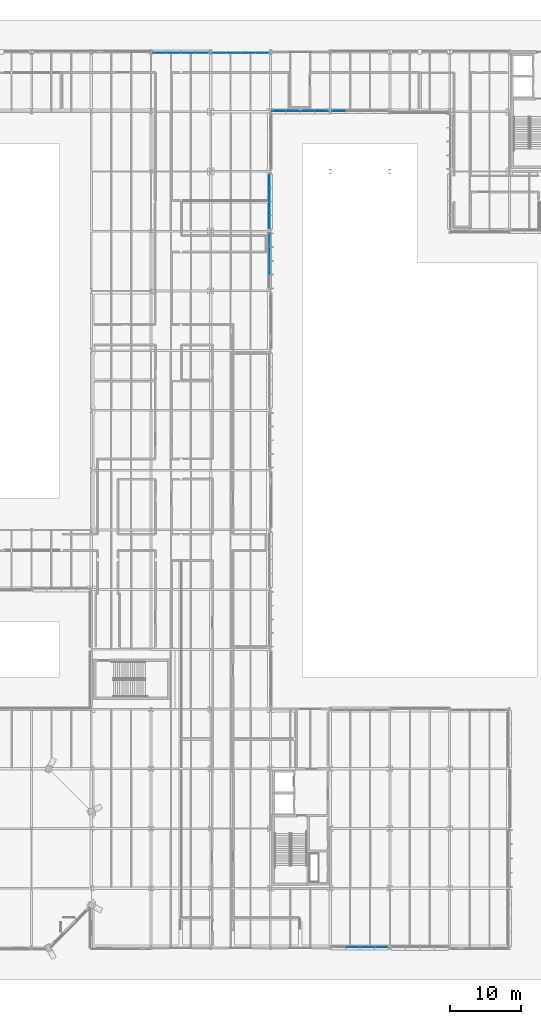
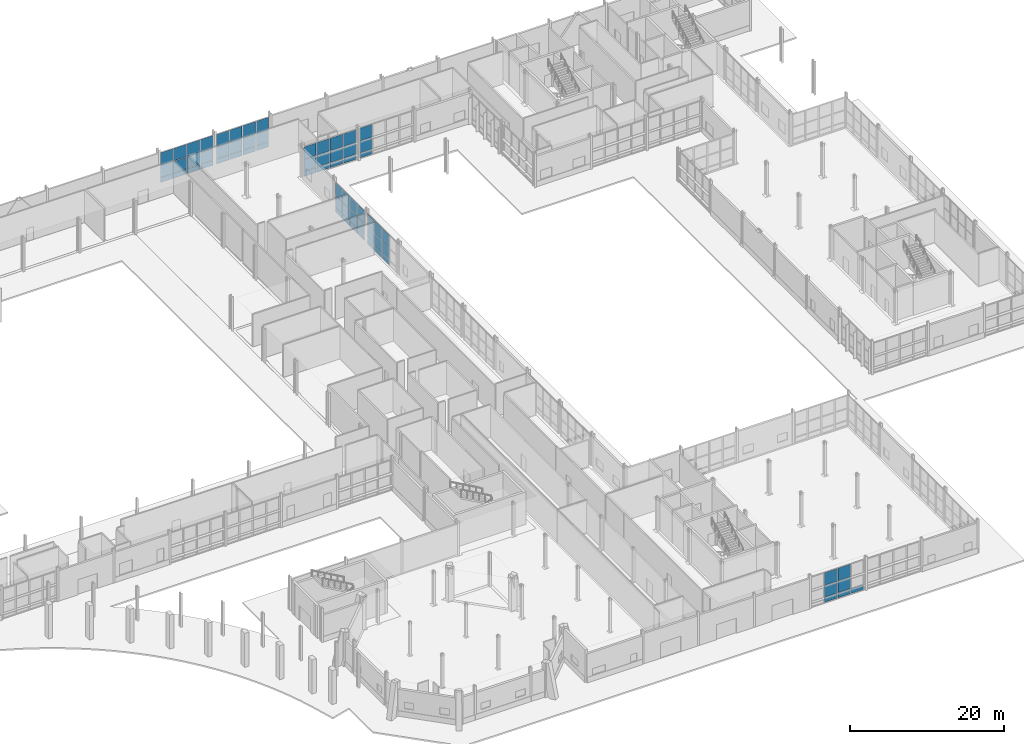
# One storey, part 75 of 124: 67 plates, 7 elements without a shape of their own.
"""IFC4 building model written with IfcOpenShell, lengths in metres."""

from ifc_helpers import new_model, si_unit, direction, frame, origin, origin_2d, place, context, subcontext, project, spatial, rectangle, extrude, material, layer, layer_set, type_object, element, aggregate, save


model = new_model("IFC4")

# Units and contexts
model_context = context("Model", 3, precision=1e-05, world=origin(), true_north=direction((0.0, 1.0)))
body_context = subcontext(model_context, "Body", "Model", "MODEL_VIEW")
ifc_project = project(units=[si_unit("LENGTHUNIT", "METRE"), si_unit("AREAUNIT", "SQUARE_METRE"), si_unit("VOLUMEUNIT", "CUBIC_METRE"), si_unit("PLANEANGLEUNIT", "RADIAN"), si_unit("MASSUNIT", "GRAM", prefix="KILO")], contexts=[model_context])

# Site, building, storey
site_placement = place(None, origin())
site = spatial("IfcSite", under=ifc_project, at=site_placement, CompositionType="ELEMENT")
building_placement = place(site_placement, origin())
building = spatial("IfcBuilding", under=site, at=building_placement, Name="Mersafa Astral City Hall", CompositionType="ELEMENT")
storey_placement = place(building_placement, origin())
storey = spatial("IfcBuildingStorey", under=building, at=storey_placement, Name="L00", CompositionType="ELEMENT", Elevation=0.0)

# Curtain wall, plates
ifc_material_1 = material(Name="Anodised bronze aluminium framing", Category="aluminium")
curtain_wall_type_1 = type_object("IfcCurtainWallType", Name="ENV-CW-1", PredefinedType="USERDEFINED", material=ifc_material_1)
curtain_wall_1_placement = place(storey_placement, origin())
curtain_wall_1 = element("IfcCurtainWall", 1, at=curtain_wall_1_placement, inside=storey, type_object=curtain_wall_type_1, Name="L00 Unitised solar curtain wall 12", ObjectType="UNITISED CURTAIN WALL", PredefinedType="USERDEFINED")
ifc_material_2 = material(Name="Solar control low-e double glazing", Category="glass")
ifc_layer_1 = layer(ifc_material_2, 0.028076171875, Name="Solar control low-e double glazing")
ifc_layer_set_1 = layer_set([ifc_layer_1], Name="Solar control low-e double glazing — ENV-CW-PNL-GLZ-1")
plate_type_1 = type_object("IfcPlateType", Name="ENV-CW-PNL-GLZ-1", PredefinedType="CURTAIN_PANEL", material=ifc_layer_set_1)
plate_1_placement = place(storey_placement, frame((117.47998046875, 95.662353515625, 0.05810546875), z_axis=(0.0, 0.0, 1.0), x_axis=(0.0, 1.0, 0.0)))
plate_1 = element("IfcPlate", 2, at=plate_1_placement, type_object=plate_type_1, Name="CW-1 panel 2.1", PredefinedType="CURTAIN_PANEL", context=body_context, shape_type="SweptSolid", body=[
    extrude(rectangle(XDim=1.830322265625, YDim=0.028076171875, at=origin_2d()), origin(), (0.0, 0.0, 1.0), 0.761962890625),
])
plate_2_placement = place(storey_placement, frame((117.47998046875, 95.662353515625, 0.8798828125), z_axis=(0.0, 0.0, 1.0), x_axis=(0.0, 1.0, 0.0)))
plate_2 = element("IfcPlate", 3, at=plate_2_placement, type_object=plate_type_1, Name="CW-1 panel 2.2", PredefinedType="CURTAIN_PANEL", context=body_context, shape_type="SweptSolid", body=[
    extrude(rectangle(XDim=1.830322265625, YDim=0.028076171875, at=origin_2d()), origin(), (0.0, 0.0, 1.0), 1.840087890625),
])
plate_3_placement = place(storey_placement, frame((117.47998046875, 95.662353515625, 2.780029296875), z_axis=(0.0, 0.0, 1.0), x_axis=(0.0, 1.0, 0.0)))
plate_3 = element("IfcPlate", 4, at=plate_3_placement, type_object=plate_type_1, Name="CW-1 panel 2.3", PredefinedType="CURTAIN_PANEL", context=body_context, shape_type="SweptSolid", body=[
    extrude(rectangle(XDim=1.830322265625, YDim=0.028076171875, at=origin_2d()), origin(), (0.0, 0.0, 1.0), 2.06201171875),
])
plate_4_placement = place(storey_placement, frame((117.47998046875, 97.612548828125, 0.05810546875), z_axis=(0.0, 0.0, 1.0), x_axis=(0.0, 1.0, 0.0)))
plate_4 = element("IfcPlate", 5, at=plate_4_placement, type_object=plate_type_1, Name="CW-1 panel 3.1", PredefinedType="CURTAIN_PANEL", context=body_context, shape_type="SweptSolid", body=[
    extrude(rectangle(XDim=1.830322265625, YDim=0.028076171875, at=origin_2d()), origin(), (0.0, 0.0, 1.0), 0.761962890625),
])
plate_5_placement = place(storey_placement, frame((117.47998046875, 97.612548828125, 0.8798828125), z_axis=(0.0, 0.0, 1.0), x_axis=(0.0, 1.0, 0.0)))
plate_5 = element("IfcPlate", 6, at=plate_5_placement, type_object=plate_type_1, Name="CW-1 panel 3.2", PredefinedType="CURTAIN_PANEL", context=body_context, shape_type="SweptSolid", body=[
    extrude(rectangle(XDim=1.830322265625, YDim=0.028076171875, at=origin_2d()), origin(), (0.0, 0.0, 1.0), 1.840087890625),
])
plate_6_placement = place(storey_placement, frame((117.47998046875, 97.612548828125, 2.780029296875), z_axis=(0.0, 0.0, 1.0), x_axis=(0.0, 1.0, 0.0)))
plate_6 = element("IfcPlate", 7, at=plate_6_placement, type_object=plate_type_1, Name="CW-1 panel 3.3", PredefinedType="CURTAIN_PANEL", context=body_context, shape_type="SweptSolid", body=[
    extrude(rectangle(XDim=1.830322265625, YDim=0.028076171875, at=origin_2d()), origin(), (0.0, 0.0, 1.0), 2.06201171875),
])
plate_7_placement = place(storey_placement, frame((117.47998046875, 99.532958984375, 0.05810546875), z_axis=(0.0, 0.0, 1.0), x_axis=(0.0, 1.0, 0.0)))
plate_7 = element("IfcPlate", 8, at=plate_7_placement, type_object=plate_type_1, Name="CW-1 panel 4.1", PredefinedType="CURTAIN_PANEL", context=body_context, shape_type="SweptSolid", body=[
    extrude(rectangle(XDim=1.770263671875, YDim=0.028076171875, at=origin_2d()), origin(), (0.0, 0.0, 1.0), 0.761962890625),
])
plate_8_placement = place(storey_placement, frame((117.47998046875, 99.532958984375, 0.8798828125), z_axis=(0.0, 0.0, 1.0), x_axis=(0.0, 1.0, 0.0)))
plate_8 = element("IfcPlate", 9, at=plate_8_placement, type_object=plate_type_1, Name="CW-1 panel 4.2", PredefinedType="CURTAIN_PANEL", context=body_context, shape_type="SweptSolid", body=[
    extrude(rectangle(XDim=1.770263671875, YDim=0.028076171875, at=origin_2d()), origin(), (0.0, 0.0, 1.0), 1.840087890625),
])
plate_9_placement = place(storey_placement, frame((117.47998046875, 99.532958984375, 2.780029296875), z_axis=(0.0, 0.0, 1.0), x_axis=(0.0, 1.0, 0.0)))
plate_9 = element("IfcPlate", 10, at=plate_9_placement, type_object=plate_type_1, Name="CW-1 panel 4.3", PredefinedType="CURTAIN_PANEL", context=body_context, shape_type="SweptSolid", body=[
    extrude(rectangle(XDim=1.770263671875, YDim=0.028076171875, at=origin_2d()), origin(), (0.0, 0.0, 1.0), 2.06201171875),
])
aggregate(curtain_wall_1, [plate_1, plate_2, plate_3, plate_4, plate_5, plate_6, plate_7, plate_8, plate_9])

curtain_wall_type_2 = type_object("IfcCurtainWallType", Name="ENV-CW-3", PredefinedType="USERDEFINED", material=ifc_material_1)
curtain_wall_2_placement = place(storey_placement, origin())
curtain_wall_2 = element("IfcCurtainWall", 11, at=curtain_wall_2_placement, inside=storey, type_object=curtain_wall_type_2, Name="L00 Unitised solar curtain wall 32", ObjectType="UNITISED CURTAIN WALL", PredefinedType="USERDEFINED")
plate_10_placement = place(storey_placement, frame((116.3984375, 125.8798828125, 0.05810546875), z_axis=(0.0, 0.0, 1.0), x_axis=(-1.0, 0.0, 0.0)))
plate_10 = element("IfcPlate", 12, at=plate_10_placement, type_object=plate_type_1, Name="CW-3 panel 1.1", PredefinedType="CURTAIN_PANEL", context=body_context, shape_type="SweptSolid", body=[
    extrude(rectangle(XDim=1.839111328125, YDim=0.028076171875, at=origin_2d()), origin(), (0.0, 0.0, 1.0), 0.761962890625),
])
plate_11_placement = place(storey_placement, frame((116.3984375, 125.8798828125, 0.8798828125), z_axis=(0.0, 0.0, 1.0), x_axis=(-1.0, 0.0, 0.0)))
plate_11 = element("IfcPlate", 13, at=plate_11_placement, type_object=plate_type_1, Name="CW-3 panel 1.2", PredefinedType="CURTAIN_PANEL", context=body_context, shape_type="SweptSolid", body=[
    extrude(rectangle(XDim=1.839111328125, YDim=0.028076171875, at=origin_2d()), origin(), (0.0, 0.0, 1.0), 1.840087890625),
])
plate_12_placement = place(storey_placement, frame((116.3984375, 125.8798828125, 2.7802734375), z_axis=(0.0, 0.0, 1.0), x_axis=(-1.0, 0.0, 0.0)))
plate_12 = element("IfcPlate", 14, at=plate_12_placement, type_object=plate_type_1, Name="CW-3 panel 1.3", PredefinedType="CURTAIN_PANEL", context=body_context, shape_type="SweptSolid", body=[
    extrude(rectangle(XDim=1.839111328125, YDim=0.028076171875, at=origin_2d()), origin(), (0.0, 0.0, 1.0), 1.971923828125),
])
plate_13_placement = place(storey_placement, frame((114.409423828125, 125.8798828125, 0.05810546875), z_axis=(0.0, 0.0, 1.0), x_axis=(-1.0, 0.0, 0.0)))
plate_13 = element("IfcPlate", 15, at=plate_13_placement, type_object=plate_type_1, Name="CW-3 panel 2.1", PredefinedType="CURTAIN_PANEL", context=body_context, shape_type="SweptSolid", body=[
    extrude(rectangle(XDim=1.89892578125, YDim=0.028076171875, at=origin_2d()), origin(), (0.0, 0.0, 1.0), 0.761962890625),
])
plate_14_placement = place(storey_placement, frame((114.409423828125, 125.8798828125, 0.8798828125), z_axis=(0.0, 0.0, 1.0), x_axis=(-1.0, 0.0, 0.0)))
plate_14 = element("IfcPlate", 16, at=plate_14_placement, type_object=plate_type_1, Name="CW-3 panel 2.2", PredefinedType="CURTAIN_PANEL", context=body_context, shape_type="SweptSolid", body=[
    extrude(rectangle(XDim=1.89892578125, YDim=0.028076171875, at=origin_2d()), origin(), (0.0, 0.0, 1.0), 1.840087890625),
])
plate_15_placement = place(storey_placement, frame((114.409423828125, 125.8798828125, 2.7802734375), z_axis=(0.0, 0.0, 1.0), x_axis=(-1.0, 0.0, 0.0)))
plate_15 = element("IfcPlate", 17, at=plate_15_placement, type_object=plate_type_1, Name="CW-3 panel 2.3", PredefinedType="CURTAIN_PANEL", context=body_context, shape_type="SweptSolid", body=[
    extrude(rectangle(XDim=1.89892578125, YDim=0.028076171875, at=origin_2d()), origin(), (0.0, 0.0, 1.0), 1.971923828125),
])
plate_16_placement = place(storey_placement, frame((112.390380859375, 125.8798828125, 0.05810546875), z_axis=(0.0, 0.0, 1.0), x_axis=(-1.0, 0.0, 0.0)))
plate_16 = element("IfcPlate", 18, at=plate_16_placement, type_object=plate_type_1, Name="CW-3 panel 3.1", PredefinedType="CURTAIN_PANEL", context=body_context, shape_type="SweptSolid", body=[
    extrude(rectangle(XDim=1.89892578125, YDim=0.028076171875, at=origin_2d()), origin(), (0.0, 0.0, 1.0), 0.761962890625),
])
plate_17_placement = place(storey_placement, frame((112.390380859375, 125.8798828125, 0.8798828125), z_axis=(0.0, 0.0, 1.0), x_axis=(-1.0, 0.0, 0.0)))
plate_17 = element("IfcPlate", 19, at=plate_17_placement, type_object=plate_type_1, Name="CW-3 panel 3.2", PredefinedType="CURTAIN_PANEL", context=body_context, shape_type="SweptSolid", body=[
    extrude(rectangle(XDim=1.89892578125, YDim=0.028076171875, at=origin_2d()), origin(), (0.0, 0.0, 1.0), 1.840087890625),
])
plate_18_placement = place(storey_placement, frame((112.390380859375, 125.8798828125, 2.7802734375), z_axis=(0.0, 0.0, 1.0), x_axis=(-1.0, 0.0, 0.0)))
plate_18 = element("IfcPlate", 20, at=plate_18_placement, type_object=plate_type_1, Name="CW-3 panel 3.3", PredefinedType="CURTAIN_PANEL", context=body_context, shape_type="SweptSolid", body=[
    extrude(rectangle(XDim=1.89892578125, YDim=0.028076171875, at=origin_2d()), origin(), (0.0, 0.0, 1.0), 1.971923828125),
])
plate_19_placement = place(storey_placement, frame((110.401611328125, 125.8798828125, 0.05810546875), z_axis=(0.0, 0.0, 1.0), x_axis=(-1.0, 0.0, 0.0)))
plate_19 = element("IfcPlate", 21, at=plate_19_placement, type_object=plate_type_1, Name="CW-3 panel 4.1", PredefinedType="CURTAIN_PANEL", context=body_context, shape_type="SweptSolid", body=[
    extrude(rectangle(XDim=1.839111328125, YDim=0.028076171875, at=origin_2d()), origin(), (0.0, 0.0, 1.0), 0.761962890625),
])
plate_20_placement = place(storey_placement, frame((110.401611328125, 125.8798828125, 0.8798828125), z_axis=(0.0, 0.0, 1.0), x_axis=(-1.0, 0.0, 0.0)))
plate_20 = element("IfcPlate", 22, at=plate_20_placement, type_object=plate_type_1, Name="CW-3 panel 4.2", PredefinedType="CURTAIN_PANEL", context=body_context, shape_type="SweptSolid", body=[
    extrude(rectangle(XDim=1.839111328125, YDim=0.028076171875, at=origin_2d()), origin(), (0.0, 0.0, 1.0), 1.840087890625),
])
plate_21_placement = place(storey_placement, frame((110.401611328125, 125.8798828125, 2.7802734375), z_axis=(0.0, 0.0, 1.0), x_axis=(-1.0, 0.0, 0.0)))
plate_21 = element("IfcPlate", 23, at=plate_21_placement, type_object=plate_type_1, Name="CW-3 panel 4.3", PredefinedType="CURTAIN_PANEL", context=body_context, shape_type="SweptSolid", body=[
    extrude(rectangle(XDim=1.839111328125, YDim=0.028076171875, at=origin_2d()), origin(), (0.0, 0.0, 1.0), 1.971923828125),
])
aggregate(curtain_wall_2, [plate_10, plate_11, plate_12, plate_13, plate_14, plate_15, plate_16, plate_17, plate_18, plate_19, plate_20, plate_21])

curtain_wall_type_3 = type_object("IfcCurtainWallType", Name="ENV-CW-2", PredefinedType="USERDEFINED", material=ifc_material_1)
curtain_wall_3_placement = place(storey_placement, origin())
curtain_wall_3 = element("IfcCurtainWall", 24, at=curtain_wall_3_placement, inside=storey, type_object=curtain_wall_type_3, Name="L00 Unitised solar curtain wall 1", ObjectType="UNITISED CURTAIN WALL", PredefinedType="USERDEFINED")
ifc_layer_2 = layer(ifc_material_2, 0.031982421875, Name="Solar control low-e double glazing")
ifc_layer_set_2 = layer_set([ifc_layer_2], Name="Solar control low-e double glazing — ENV-CW-PNL-GLZ-2")
plate_type_2 = type_object("IfcPlateType", Name="ENV-CW-PNL-GLZ-2", PredefinedType="CURTAIN_PANEL", material=ifc_layer_set_2)
plate_22_placement = place(storey_placement, frame((129.1904296875, 0.1201171875, 0.05810546875), z_axis=(0.0, 0.0, 1.0), x_axis=(1.0, 0.0, 0.0)))
plate_22 = element("IfcPlate", 25, at=plate_22_placement, type_object=plate_type_2, Name="CW-2 panel 2.1", PredefinedType="CURTAIN_PANEL", context=body_context, shape_type="SweptSolid", body=[
    extrude(rectangle(XDim=1.89892578125, YDim=0.031982421875, at=origin_2d()), origin(), (0.0, 0.0, 1.0), 0.761962890625),
])
plate_23_placement = place(storey_placement, frame((129.1904296875, 0.1201171875, 0.8798828125), z_axis=(0.0, 0.0, 1.0), x_axis=(1.0, 0.0, 0.0)))
plate_23 = element("IfcPlate", 26, at=plate_23_placement, type_object=plate_type_2, Name="CW-2 panel 2.2", PredefinedType="CURTAIN_PANEL", context=body_context, shape_type="SweptSolid", body=[
    extrude(rectangle(XDim=1.89892578125, YDim=0.031982421875, at=origin_2d()), origin(), (0.0, 0.0, 1.0), 1.840087890625),
])
plate_24_placement = place(storey_placement, frame((129.1904296875, 0.1201171875, 2.780029296875), z_axis=(0.0, 0.0, 1.0), x_axis=(1.0, 0.0, 0.0)))
plate_24 = element("IfcPlate", 27, at=plate_24_placement, type_object=plate_type_2, Name="CW-2 panel 2.3", PredefinedType="CURTAIN_PANEL", context=body_context, shape_type="SweptSolid", body=[
    extrude(rectangle(XDim=1.89892578125, YDim=0.031982421875, at=origin_2d()), origin(), (0.0, 0.0, 1.0), 2.001953125),
])
plate_25_placement = place(storey_placement, frame((131.20947265625, 0.1201171875, 0.05810546875), z_axis=(0.0, 0.0, 1.0), x_axis=(1.0, 0.0, 0.0)))
plate_25 = element("IfcPlate", 28, at=plate_25_placement, type_object=plate_type_2, Name="CW-2 panel 3.1", PredefinedType="CURTAIN_PANEL", context=body_context, shape_type="SweptSolid", body=[
    extrude(rectangle(XDim=1.89892578125, YDim=0.031982421875, at=origin_2d()), origin(), (0.0, 0.0, 1.0), 0.761962890625),
])
plate_26_placement = place(storey_placement, frame((131.20947265625, 0.1201171875, 0.8798828125), z_axis=(0.0, 0.0, 1.0), x_axis=(1.0, 0.0, 0.0)))
plate_26 = element("IfcPlate", 29, at=plate_26_placement, type_object=plate_type_2, Name="CW-2 panel 3.2", PredefinedType="CURTAIN_PANEL", context=body_context, shape_type="SweptSolid", body=[
    extrude(rectangle(XDim=1.89892578125, YDim=0.031982421875, at=origin_2d()), origin(), (0.0, 0.0, 1.0), 1.840087890625),
])
plate_27_placement = place(storey_placement, frame((131.20947265625, 0.1201171875, 2.780029296875), z_axis=(0.0, 0.0, 1.0), x_axis=(1.0, 0.0, 0.0)))
plate_27 = element("IfcPlate", 30, at=plate_27_placement, type_object=plate_type_2, Name="CW-2 panel 3.3", PredefinedType="CURTAIN_PANEL", context=body_context, shape_type="SweptSolid", body=[
    extrude(rectangle(XDim=1.89892578125, YDim=0.031982421875, at=origin_2d()), origin(), (0.0, 0.0, 1.0), 2.001953125),
])
plate_28_placement = place(storey_placement, frame((133.198486328125, 0.1201171875, 0.05810546875), z_axis=(0.0, 0.0, 1.0), x_axis=(1.0, 0.0, 0.0)))
plate_28 = element("IfcPlate", 31, at=plate_28_placement, type_object=plate_type_2, Name="CW-2 panel 4.1", PredefinedType="CURTAIN_PANEL", context=body_context, shape_type="SweptSolid", body=[
    extrude(rectangle(XDim=1.839111328125, YDim=0.031982421875, at=origin_2d()), origin(), (0.0, 0.0, 1.0), 0.761962890625),
])
aggregate(curtain_wall_3, [plate_22, plate_23, plate_24, plate_25, plate_26, plate_27, plate_28])

curtain_wall_4_placement = place(storey_placement, origin())
curtain_wall_4 = element("IfcCurtainWall", 32, at=curtain_wall_4_placement, inside=storey, type_object=curtain_wall_type_3, Name="L00 Unitised solar curtain wall 13", ObjectType="UNITISED CURTAIN WALL", PredefinedType="USERDEFINED")
plate_29_placement = place(storey_placement, frame((117.47998046875, 102.0703125, 0.05810546875), z_axis=(0.0, 0.0, 1.0), x_axis=(0.0, 1.0, 0.0)))
plate_29 = element("IfcPlate", 33, at=plate_29_placement, type_object=plate_type_2, Name="CW-2 panel 1.1", PredefinedType="CURTAIN_PANEL", context=body_context, shape_type="SweptSolid", body=[
    extrude(rectangle(XDim=1.776611328125, YDim=0.031982421875, at=origin_2d()), origin(), (0.0, 0.0, 1.0), 0.761962890625),
])
plate_30_placement = place(storey_placement, frame((117.47998046875, 102.0703125, 0.8798828125), z_axis=(0.0, 0.0, 1.0), x_axis=(0.0, 1.0, 0.0)))
plate_30 = element("IfcPlate", 34, at=plate_30_placement, type_object=plate_type_2, Name="CW-2 panel 1.2", PredefinedType="CURTAIN_PANEL", context=body_context, shape_type="SweptSolid", body=[
    extrude(rectangle(XDim=1.776611328125, YDim=0.031982421875, at=origin_2d()), origin(), (0.0, 0.0, 1.0), 1.840087890625),
])
plate_31_placement = place(storey_placement, frame((117.47998046875, 102.0703125, 2.7802734375), z_axis=(0.0, 0.0, 1.0), x_axis=(0.0, 1.0, 0.0)))
plate_31 = element("IfcPlate", 35, at=plate_31_placement, type_object=plate_type_2, Name="CW-2 panel 1.3", PredefinedType="CURTAIN_PANEL", context=body_context, shape_type="SweptSolid", body=[
    extrude(rectangle(XDim=1.776611328125, YDim=0.031982421875, at=origin_2d()), origin(), (0.0, 0.0, 1.0), 1.971923828125),
])
plate_32_placement = place(storey_placement, frame((117.47998046875, 103.996826171875, 0.05810546875), z_axis=(0.0, 0.0, 1.0), x_axis=(0.0, 1.0, 0.0)))
plate_32 = element("IfcPlate", 36, at=plate_32_placement, type_object=plate_type_2, Name="CW-2 panel 2.1", PredefinedType="CURTAIN_PANEL", context=body_context, shape_type="SweptSolid", body=[
    extrude(rectangle(XDim=1.83642578125, YDim=0.031982421875, at=origin_2d()), origin(), (0.0, 0.0, 1.0), 0.761962890625),
])
plate_33_placement = place(storey_placement, frame((117.47998046875, 103.996826171875, 0.8798828125), z_axis=(0.0, 0.0, 1.0), x_axis=(0.0, 1.0, 0.0)))
plate_33 = element("IfcPlate", 37, at=plate_33_placement, type_object=plate_type_2, Name="CW-2 panel 2.2", PredefinedType="CURTAIN_PANEL", context=body_context, shape_type="SweptSolid", body=[
    extrude(rectangle(XDim=1.83642578125, YDim=0.031982421875, at=origin_2d()), origin(), (0.0, 0.0, 1.0), 1.840087890625),
])
plate_34_placement = place(storey_placement, frame((117.47998046875, 103.996826171875, 2.7802734375), z_axis=(0.0, 0.0, 1.0), x_axis=(0.0, 1.0, 0.0)))
plate_34 = element("IfcPlate", 38, at=plate_34_placement, type_object=plate_type_2, Name="CW-2 panel 2.3", PredefinedType="CURTAIN_PANEL", context=body_context, shape_type="SweptSolid", body=[
    extrude(rectangle(XDim=1.83642578125, YDim=0.031982421875, at=origin_2d()), origin(), (0.0, 0.0, 1.0), 1.971923828125),
])
plate_35_placement = place(storey_placement, frame((117.47998046875, 105.953369140625, 0.05810546875), z_axis=(0.0, 0.0, 1.0), x_axis=(0.0, 1.0, 0.0)))
plate_35 = element("IfcPlate", 39, at=plate_35_placement, type_object=plate_type_2, Name="CW-2 panel 3.1", PredefinedType="CURTAIN_PANEL", context=body_context, shape_type="SweptSolid", body=[
    extrude(rectangle(XDim=1.83642578125, YDim=0.031982421875, at=origin_2d()), origin(), (0.0, 0.0, 1.0), 0.761962890625),
])
plate_36_placement = place(storey_placement, frame((117.47998046875, 105.953369140625, 0.8798828125), z_axis=(0.0, 0.0, 1.0), x_axis=(0.0, 1.0, 0.0)))
plate_36 = element("IfcPlate", 40, at=plate_36_placement, type_object=plate_type_2, Name="CW-2 panel 3.2", PredefinedType="CURTAIN_PANEL", context=body_context, shape_type="SweptSolid", body=[
    extrude(rectangle(XDim=1.83642578125, YDim=0.031982421875, at=origin_2d()), origin(), (0.0, 0.0, 1.0), 1.840087890625),
])
plate_37_placement = place(storey_placement, frame((117.47998046875, 105.953369140625, 2.7802734375), z_axis=(0.0, 0.0, 1.0), x_axis=(0.0, 1.0, 0.0)))
plate_37 = element("IfcPlate", 41, at=plate_37_placement, type_object=plate_type_2, Name="CW-2 panel 3.3", PredefinedType="CURTAIN_PANEL", context=body_context, shape_type="SweptSolid", body=[
    extrude(rectangle(XDim=1.83642578125, YDim=0.031982421875, at=origin_2d()), origin(), (0.0, 0.0, 1.0), 1.971923828125),
])
plate_38_placement = place(storey_placement, frame((117.47998046875, 107.879638671875, 0.05810546875), z_axis=(0.0, 0.0, 1.0), x_axis=(0.0, 1.0, 0.0)))
plate_38 = element("IfcPlate", 42, at=plate_38_placement, type_object=plate_type_2, Name="CW-2 panel 4.1", PredefinedType="CURTAIN_PANEL", context=body_context, shape_type="SweptSolid", body=[
    extrude(rectangle(XDim=1.776611328125, YDim=0.031982421875, at=origin_2d()), origin(), (0.0, 0.0, 1.0), 0.761962890625),
])
plate_39_placement = place(storey_placement, frame((117.47998046875, 107.879638671875, 0.8798828125), z_axis=(0.0, 0.0, 1.0), x_axis=(0.0, 1.0, 0.0)))
plate_39 = element("IfcPlate", 43, at=plate_39_placement, type_object=plate_type_2, Name="CW-2 panel 4.2", PredefinedType="CURTAIN_PANEL", context=body_context, shape_type="SweptSolid", body=[
    extrude(rectangle(XDim=1.776611328125, YDim=0.031982421875, at=origin_2d()), origin(), (0.0, 0.0, 1.0), 1.840087890625),
])
plate_40_placement = place(storey_placement, frame((117.47998046875, 107.879638671875, 2.7802734375), z_axis=(0.0, 0.0, 1.0), x_axis=(0.0, 1.0, 0.0)))
plate_40 = element("IfcPlate", 44, at=plate_40_placement, type_object=plate_type_2, Name="CW-2 panel 4.3", PredefinedType="CURTAIN_PANEL", context=body_context, shape_type="SweptSolid", body=[
    extrude(rectangle(XDim=1.776611328125, YDim=0.031982421875, at=origin_2d()), origin(), (0.0, 0.0, 1.0), 1.971923828125),
])
aggregate(curtain_wall_4, [plate_29, plate_30, plate_31, plate_32, plate_33, plate_34, plate_35, plate_36, plate_37, plate_38, plate_39, plate_40])

curtain_wall_type_4 = type_object("IfcCurtainWallType", Name="ENV-CW-4", PredefinedType="USERDEFINED", material=ifc_material_1)
curtain_wall_5_placement = place(storey_placement, origin())
curtain_wall_5 = element("IfcCurtainWall", 45, at=curtain_wall_5_placement, inside=storey, type_object=curtain_wall_type_4, Name="L00 Unitised solar curtain wall 33", ObjectType="UNITISED CURTAIN WALL", PredefinedType="USERDEFINED")
plate_41_placement = place(storey_placement, frame((107.99853515625, 125.8798828125, 0.05810546875), z_axis=(0.0, 0.0, 1.0), x_axis=(-1.0, 0.0, 0.0)))
plate_41 = element("IfcPlate", 46, at=plate_41_placement, type_object=plate_type_2, Name="CW-4 panel 1.1", PredefinedType="CURTAIN_PANEL", context=body_context, shape_type="SweptSolid", body=[
    extrude(rectangle(XDim=1.839111328125, YDim=0.031982421875, at=origin_2d()), origin(), (0.0, 0.0, 1.0), 0.761962890625),
])
plate_42_placement = place(storey_placement, frame((107.99853515625, 125.8798828125, 0.8798828125), z_axis=(0.0, 0.0, 1.0), x_axis=(-1.0, 0.0, 0.0)))
plate_42 = element("IfcPlate", 47, at=plate_42_placement, type_object=plate_type_2, Name="CW-4 panel 1.2", PredefinedType="CURTAIN_PANEL", context=body_context, shape_type="SweptSolid", body=[
    extrude(rectangle(XDim=1.839111328125, YDim=0.031982421875, at=origin_2d()), origin(), (0.0, 0.0, 1.0), 1.840087890625),
])
plate_43_placement = place(storey_placement, frame((107.99853515625, 125.8798828125, 2.780029296875), z_axis=(0.0, 0.0, 1.0), x_axis=(-1.0, 0.0, 0.0)))
plate_43 = element("IfcPlate", 48, at=plate_43_placement, type_object=plate_type_2, Name="CW-4 panel 1.3", PredefinedType="CURTAIN_PANEL", context=body_context, shape_type="SweptSolid", body=[
    extrude(rectangle(XDim=1.839111328125, YDim=0.031982421875, at=origin_2d()), origin(), (0.0, 0.0, 1.0), 2.001953125),
])
plate_44_placement = place(storey_placement, frame((106.009521484375, 125.8798828125, 0.05810546875), z_axis=(0.0, 0.0, 1.0), x_axis=(-1.0, 0.0, 0.0)))
plate_44 = element("IfcPlate", 49, at=plate_44_placement, type_object=plate_type_2, Name="CW-4 panel 2.1", PredefinedType="CURTAIN_PANEL", context=body_context, shape_type="SweptSolid", body=[
    extrude(rectangle(XDim=1.89892578125, YDim=0.031982421875, at=origin_2d()), origin(), (0.0, 0.0, 1.0), 0.761962890625),
])
plate_45_placement = place(storey_placement, frame((106.009521484375, 125.8798828125, 0.8798828125), z_axis=(0.0, 0.0, 1.0), x_axis=(-1.0, 0.0, 0.0)))
plate_45 = element("IfcPlate", 50, at=plate_45_placement, type_object=plate_type_2, Name="CW-4 panel 2.2", PredefinedType="CURTAIN_PANEL", context=body_context, shape_type="SweptSolid", body=[
    extrude(rectangle(XDim=1.89892578125, YDim=0.031982421875, at=origin_2d()), origin(), (0.0, 0.0, 1.0), 1.840087890625),
])
plate_46_placement = place(storey_placement, frame((106.009521484375, 125.8798828125, 2.780029296875), z_axis=(0.0, 0.0, 1.0), x_axis=(-1.0, 0.0, 0.0)))
plate_46 = element("IfcPlate", 51, at=plate_46_placement, type_object=plate_type_2, Name="CW-4 panel 2.3", PredefinedType="CURTAIN_PANEL", context=body_context, shape_type="SweptSolid", body=[
    extrude(rectangle(XDim=1.89892578125, YDim=0.031982421875, at=origin_2d()), origin(), (0.0, 0.0, 1.0), 2.001953125),
])
plate_47_placement = place(storey_placement, frame((103.990478515625, 125.8798828125, 0.05810546875), z_axis=(0.0, 0.0, 1.0), x_axis=(-1.0, 0.0, 0.0)))
plate_47 = element("IfcPlate", 52, at=plate_47_placement, type_object=plate_type_2, Name="CW-4 panel 3.1", PredefinedType="CURTAIN_PANEL", context=body_context, shape_type="SweptSolid", body=[
    extrude(rectangle(XDim=1.89892578125, YDim=0.031982421875, at=origin_2d()), origin(), (0.0, 0.0, 1.0), 0.761962890625),
])
plate_48_placement = place(storey_placement, frame((103.990478515625, 125.8798828125, 0.8798828125), z_axis=(0.0, 0.0, 1.0), x_axis=(-1.0, 0.0, 0.0)))
plate_48 = element("IfcPlate", 53, at=plate_48_placement, type_object=plate_type_2, Name="CW-4 panel 3.2", PredefinedType="CURTAIN_PANEL", context=body_context, shape_type="SweptSolid", body=[
    extrude(rectangle(XDim=1.89892578125, YDim=0.031982421875, at=origin_2d()), origin(), (0.0, 0.0, 1.0), 1.840087890625),
])
plate_49_placement = place(storey_placement, frame((103.990478515625, 125.8798828125, 2.780029296875), z_axis=(0.0, 0.0, 1.0), x_axis=(-1.0, 0.0, 0.0)))
plate_49 = element("IfcPlate", 54, at=plate_49_placement, type_object=plate_type_2, Name="CW-4 panel 3.3", PredefinedType="CURTAIN_PANEL", context=body_context, shape_type="SweptSolid", body=[
    extrude(rectangle(XDim=1.89892578125, YDim=0.031982421875, at=origin_2d()), origin(), (0.0, 0.0, 1.0), 2.001953125),
])
plate_50_placement = place(storey_placement, frame((102.00146484375, 125.8798828125, 0.05810546875), z_axis=(0.0, 0.0, 1.0), x_axis=(-1.0, 0.0, 0.0)))
plate_50 = element("IfcPlate", 55, at=plate_50_placement, type_object=plate_type_2, Name="CW-4 panel 4.1", PredefinedType="CURTAIN_PANEL", context=body_context, shape_type="SweptSolid", body=[
    extrude(rectangle(XDim=1.839111328125, YDim=0.031982421875, at=origin_2d()), origin(), (0.0, 0.0, 1.0), 0.761962890625),
])
plate_51_placement = place(storey_placement, frame((102.00146484375, 125.8798828125, 0.8798828125), z_axis=(0.0, 0.0, 1.0), x_axis=(-1.0, 0.0, 0.0)))
plate_51 = element("IfcPlate", 56, at=plate_51_placement, type_object=plate_type_2, Name="CW-4 panel 4.2", PredefinedType="CURTAIN_PANEL", context=body_context, shape_type="SweptSolid", body=[
    extrude(rectangle(XDim=1.839111328125, YDim=0.031982421875, at=origin_2d()), origin(), (0.0, 0.0, 1.0), 1.840087890625),
])
plate_52_placement = place(storey_placement, frame((102.00146484375, 125.8798828125, 2.780029296875), z_axis=(0.0, 0.0, 1.0), x_axis=(-1.0, 0.0, 0.0)))
plate_52 = element("IfcPlate", 57, at=plate_52_placement, type_object=plate_type_2, Name="CW-4 panel 4.3", PredefinedType="CURTAIN_PANEL", context=body_context, shape_type="SweptSolid", body=[
    extrude(rectangle(XDim=1.839111328125, YDim=0.031982421875, at=origin_2d()), origin(), (0.0, 0.0, 1.0), 2.001953125),
])
aggregate(curtain_wall_5, [plate_41, plate_42, plate_43, plate_44, plate_45, plate_46, plate_47, plate_48, plate_49, plate_50, plate_51, plate_52])

curtain_wall_6_placement = place(storey_placement, origin())
curtain_wall_6 = element("IfcCurtainWall", 58, at=curtain_wall_6_placement, inside=storey, type_object=curtain_wall_type_2, Name="L00 Unitised solar curtain wall 14", ObjectType="UNITISED CURTAIN WALL", PredefinedType="USERDEFINED")
ifc_layer_3 = layer(ifc_material_2, 0.035888671875, Name="Solar control low-e double glazing")
ifc_layer_set_3 = layer_set([ifc_layer_3], Name="Solar control low-e double glazing — ENV-CW-PNL-GLZ-3")
plate_type_3 = type_object("IfcPlateType", Name="ENV-CW-PNL-GLZ-3", PredefinedType="CURTAIN_PANEL", material=ifc_layer_set_3)
plate_53_placement = place(storey_placement, frame((118.801513671875, 117.719970703125, 0.05810546875), z_axis=(0.0, 0.0, 1.0), x_axis=(1.0, 0.0, 0.0)))
plate_53 = element("IfcPlate", 59, at=plate_53_placement, type_object=plate_type_3, Name="CW-3 panel 1.1", PredefinedType="CURTAIN_PANEL", context=body_context, shape_type="SweptSolid", body=[
    extrude(rectangle(XDim=1.839111328125, YDim=0.035888671875, at=origin_2d()), origin(), (0.0, 0.0, 1.0), 0.761962890625),
])
plate_54_placement = place(storey_placement, frame((118.801513671875, 117.719970703125, 0.8798828125), z_axis=(0.0, 0.0, 1.0), x_axis=(1.0, 0.0, 0.0)))
plate_54 = element("IfcPlate", 60, at=plate_54_placement, type_object=plate_type_3, Name="CW-3 panel 1.2", PredefinedType="CURTAIN_PANEL", context=body_context, shape_type="SweptSolid", body=[
    extrude(rectangle(XDim=1.839111328125, YDim=0.035888671875, at=origin_2d()), origin(), (0.0, 0.0, 1.0), 1.840087890625),
])
plate_55_placement = place(storey_placement, frame((118.801513671875, 117.719970703125, 2.7802734375), z_axis=(0.0, 0.0, 1.0), x_axis=(1.0, 0.0, 0.0)))
plate_55 = element("IfcPlate", 61, at=plate_55_placement, type_object=plate_type_3, Name="CW-3 panel 1.3", PredefinedType="CURTAIN_PANEL", context=body_context, shape_type="SweptSolid", body=[
    extrude(rectangle(XDim=1.839111328125, YDim=0.035888671875, at=origin_2d()), origin(), (0.0, 0.0, 1.0), 1.971923828125),
])
plate_56_placement = place(storey_placement, frame((120.79052734375, 117.719970703125, 0.05810546875), z_axis=(0.0, 0.0, 1.0), x_axis=(1.0, 0.0, 0.0)))
plate_56 = element("IfcPlate", 62, at=plate_56_placement, type_object=plate_type_3, Name="CW-3 panel 2.1", PredefinedType="CURTAIN_PANEL", context=body_context, shape_type="SweptSolid", body=[
    extrude(rectangle(XDim=1.89892578125, YDim=0.035888671875, at=origin_2d()), origin(), (0.0, 0.0, 1.0), 0.761962890625),
])
plate_57_placement = place(storey_placement, frame((120.79052734375, 117.719970703125, 0.8798828125), z_axis=(0.0, 0.0, 1.0), x_axis=(1.0, 0.0, 0.0)))
plate_57 = element("IfcPlate", 63, at=plate_57_placement, type_object=plate_type_3, Name="CW-3 panel 2.2", PredefinedType="CURTAIN_PANEL", context=body_context, shape_type="SweptSolid", body=[
    extrude(rectangle(XDim=1.89892578125, YDim=0.035888671875, at=origin_2d()), origin(), (0.0, 0.0, 1.0), 1.840087890625),
])
plate_58_placement = place(storey_placement, frame((120.79052734375, 117.719970703125, 2.7802734375), z_axis=(0.0, 0.0, 1.0), x_axis=(1.0, 0.0, 0.0)))
plate_58 = element("IfcPlate", 64, at=plate_58_placement, type_object=plate_type_3, Name="CW-3 panel 2.3", PredefinedType="CURTAIN_PANEL", context=body_context, shape_type="SweptSolid", body=[
    extrude(rectangle(XDim=1.89892578125, YDim=0.035888671875, at=origin_2d()), origin(), (0.0, 0.0, 1.0), 1.971923828125),
])
plate_59_placement = place(storey_placement, frame((122.8095703125, 117.719970703125, 0.05810546875), z_axis=(0.0, 0.0, 1.0), x_axis=(1.0, 0.0, 0.0)))
plate_59 = element("IfcPlate", 65, at=plate_59_placement, type_object=plate_type_3, Name="CW-3 panel 3.1", PredefinedType="CURTAIN_PANEL", context=body_context, shape_type="SweptSolid", body=[
    extrude(rectangle(XDim=1.89892578125, YDim=0.035888671875, at=origin_2d()), origin(), (0.0, 0.0, 1.0), 0.761962890625),
])
plate_60_placement = place(storey_placement, frame((122.8095703125, 117.719970703125, 0.8798828125), z_axis=(0.0, 0.0, 1.0), x_axis=(1.0, 0.0, 0.0)))
plate_60 = element("IfcPlate", 66, at=plate_60_placement, type_object=plate_type_3, Name="CW-3 panel 3.2", PredefinedType="CURTAIN_PANEL", context=body_context, shape_type="SweptSolid", body=[
    extrude(rectangle(XDim=1.89892578125, YDim=0.035888671875, at=origin_2d()), origin(), (0.0, 0.0, 1.0), 1.840087890625),
])
plate_61_placement = place(storey_placement, frame((122.8095703125, 117.719970703125, 2.7802734375), z_axis=(0.0, 0.0, 1.0), x_axis=(1.0, 0.0, 0.0)))
plate_61 = element("IfcPlate", 67, at=plate_61_placement, type_object=plate_type_3, Name="CW-3 panel 3.3", PredefinedType="CURTAIN_PANEL", context=body_context, shape_type="SweptSolid", body=[
    extrude(rectangle(XDim=1.89892578125, YDim=0.035888671875, at=origin_2d()), origin(), (0.0, 0.0, 1.0), 1.971923828125),
])
plate_62_placement = place(storey_placement, frame((124.798583984375, 117.719970703125, 0.05810546875), z_axis=(0.0, 0.0, 1.0), x_axis=(1.0, 0.0, 0.0)))
plate_62 = element("IfcPlate", 68, at=plate_62_placement, type_object=plate_type_3, Name="CW-3 panel 4.1", PredefinedType="CURTAIN_PANEL", context=body_context, shape_type="SweptSolid", body=[
    extrude(rectangle(XDim=1.839111328125, YDim=0.035888671875, at=origin_2d()), origin(), (0.0, 0.0, 1.0), 0.761962890625),
])
plate_63_placement = place(storey_placement, frame((124.798583984375, 117.719970703125, 0.8798828125), z_axis=(0.0, 0.0, 1.0), x_axis=(1.0, 0.0, 0.0)))
plate_63 = element("IfcPlate", 69, at=plate_63_placement, type_object=plate_type_3, Name="CW-3 panel 4.2", PredefinedType="CURTAIN_PANEL", context=body_context, shape_type="SweptSolid", body=[
    extrude(rectangle(XDim=1.839111328125, YDim=0.035888671875, at=origin_2d()), origin(), (0.0, 0.0, 1.0), 1.840087890625),
])
plate_64_placement = place(storey_placement, frame((124.798583984375, 117.719970703125, 2.7802734375), z_axis=(0.0, 0.0, 1.0), x_axis=(1.0, 0.0, 0.0)))
plate_64 = element("IfcPlate", 70, at=plate_64_placement, type_object=plate_type_3, Name="CW-3 panel 4.3", PredefinedType="CURTAIN_PANEL", context=body_context, shape_type="SweptSolid", body=[
    extrude(rectangle(XDim=1.839111328125, YDim=0.035888671875, at=origin_2d()), origin(), (0.0, 0.0, 1.0), 1.971923828125),
])
aggregate(curtain_wall_6, [plate_53, plate_54, plate_55, plate_56, plate_57, plate_58, plate_59, plate_60, plate_61, plate_62, plate_63, plate_64])

curtain_wall_7_placement = place(storey_placement, origin())
curtain_wall_7 = element("IfcCurtainWall", 71, at=curtain_wall_7_placement, inside=storey, type_object=curtain_wall_type_4, Name="L00 Unitised solar curtain wall 15", ObjectType="UNITISED CURTAIN WALL", PredefinedType="USERDEFINED")
ifc_layer_4 = layer(ifc_material_2, 0.0400390625, Name="Solar control low-e double glazing")
ifc_layer_set_4 = layer_set([ifc_layer_4], Name="Solar control low-e double glazing — ENV-CW-PNL-GLZ-4")
plate_type_4 = type_object("IfcPlateType", Name="ENV-CW-PNL-GLZ-4", PredefinedType="CURTAIN_PANEL", material=ifc_layer_set_4)
plate_65_placement = place(storey_placement, frame((127.201416015625, 117.719970703125, 0.05810546875), z_axis=(0.0, 0.0, 1.0), x_axis=(1.0, 0.0, 0.0)))
plate_65 = element("IfcPlate", 72, at=plate_65_placement, type_object=plate_type_4, Name="CW-4 panel 1.1", PredefinedType="CURTAIN_PANEL", context=body_context, shape_type="SweptSolid", body=[
    extrude(rectangle(XDim=1.839111328125, YDim=0.0400390625, at=origin_2d()), origin(), (0.0, 0.0, 1.0), 0.761962890625),
])
plate_66_placement = place(storey_placement, frame((127.201416015625, 117.719970703125, 0.8798828125), z_axis=(0.0, 0.0, 1.0), x_axis=(1.0, 0.0, 0.0)))
plate_66 = element("IfcPlate", 73, at=plate_66_placement, type_object=plate_type_4, Name="CW-4 panel 1.2", PredefinedType="CURTAIN_PANEL", context=body_context, shape_type="SweptSolid", body=[
    extrude(rectangle(XDim=1.839111328125, YDim=0.0400390625, at=origin_2d()), origin(), (0.0, 0.0, 1.0), 1.840087890625),
])
plate_67_placement = place(storey_placement, frame((127.201416015625, 117.719970703125, 2.780029296875), z_axis=(0.0, 0.0, 1.0), x_axis=(1.0, 0.0, 0.0)))
plate_67 = element("IfcPlate", 74, at=plate_67_placement, type_object=plate_type_4, Name="CW-4 panel 1.3", PredefinedType="CURTAIN_PANEL", context=body_context, shape_type="SweptSolid", body=[
    extrude(rectangle(XDim=1.839111328125, YDim=0.0400390625, at=origin_2d()), origin(), (0.0, 0.0, 1.0), 2.001953125),
])
aggregate(curtain_wall_7, [plate_65, plate_66, plate_67])

save(model, "model.ifc")
